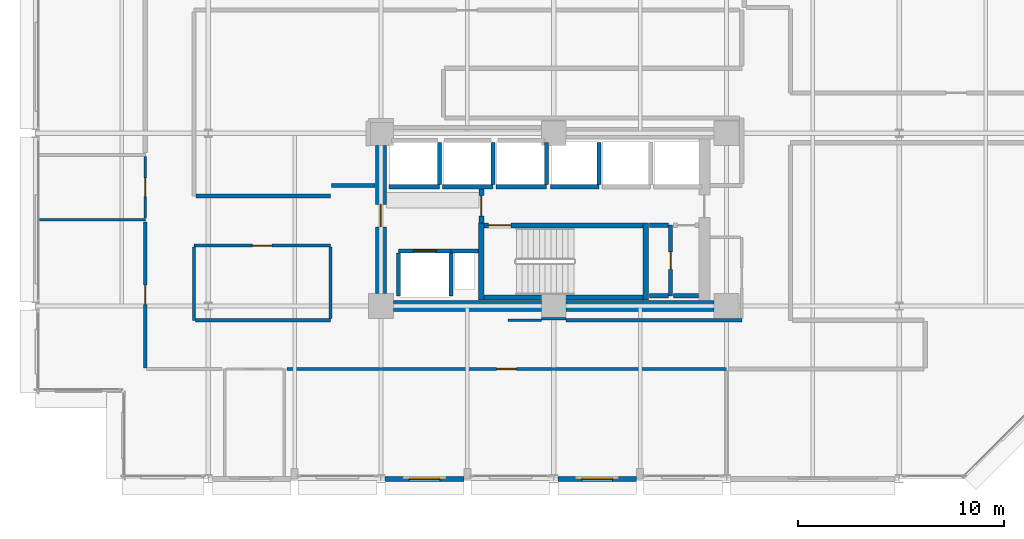
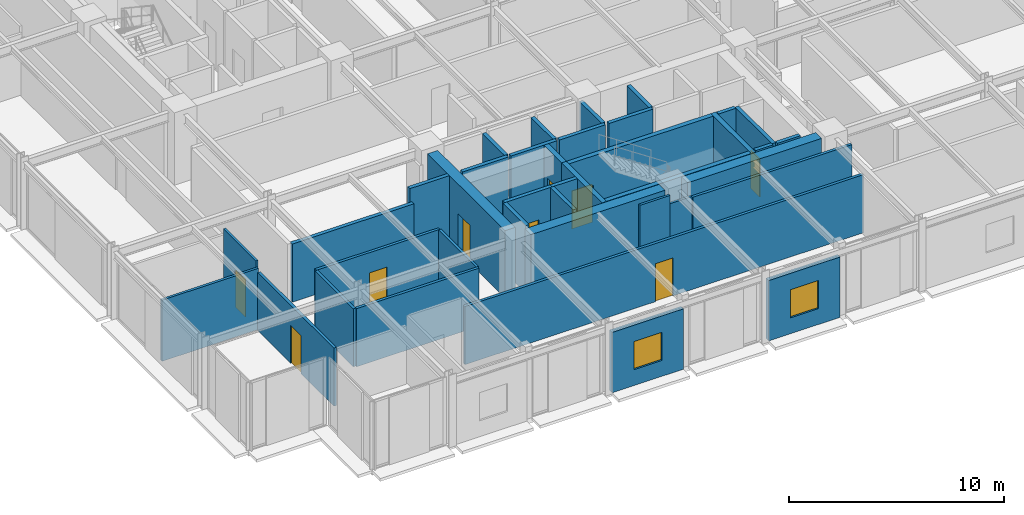
# One storey, part 32 of 39: 39 walls, 9 doors, 2 windows, 11 openings.
"""IFC4 building model written with IfcOpenShell, lengths in metres."""

from ifc_helpers import new_model, si_unit, direction, frame, frame_2d, origin, place, context, subcontext, project, spatial, rectangle, extrude, material, layer, layer_set, type_object, element, fill, save


model = new_model("IFC4")

# Units and contexts
model_context = context("Model", 3, precision=1e-05, world=origin(), true_north=direction((0.0, 1.0)))
body_context = subcontext(model_context, "Body", "Model", "MODEL_VIEW")
ifc_project = project(units=[si_unit("LENGTHUNIT", "METRE"), si_unit("AREAUNIT", "SQUARE_METRE"), si_unit("VOLUMEUNIT", "CUBIC_METRE"), si_unit("PLANEANGLEUNIT", "RADIAN"), si_unit("MASSUNIT", "GRAM", prefix="KILO")], contexts=[model_context])

# Site, building, storey
site_placement = place(None, origin())
site = spatial("IfcSite", under=ifc_project, at=site_placement, CompositionType="ELEMENT")
building_placement = place(site_placement, origin())
building = spatial("IfcBuilding", under=site, at=building_placement, Name="Nerrivon Quay Data Exchange", CompositionType="ELEMENT")
storey_placement = place(building_placement, frame((0.0, 0.0, 104.89990234375)))
storey = spatial("IfcBuildingStorey", under=building, at=storey_placement, Name="L24", CompositionType="ELEMENT", Elevation=104.89990234375)

# Wall, opening, window
ifc_material_1 = material(Name="Architectural terracotta precast concrete N50 (50 MPa)", Category="masonry")
ifc_layer_1 = layer(ifc_material_1, 0.239990234375)
ifc_layer_set_1 = layer_set([ifc_layer_1], Name="Architectural terracotta precast concrete N50 (50 MPa)")
wall_type_1 = type_object("IfcWallType", Name="EW-PREC-240", PredefinedType="STANDARD", material=ifc_layer_set_1)
wall_1_placement = place(storey_placement, frame((29.22509765625, 0.0, 0.0), z_axis=(0.0, 0.0, 1.0), x_axis=(-1.0, 0.0, 0.0)))
wall_1 = element("IfcWall", 1, at=wall_1_placement, inside=storey, type_object=wall_type_1, Name="L24 Podium Precast Spandrel Wall 9", PredefinedType="STANDARD", context=body_context, shape_type="SweptSolid", body=[
    extrude(rectangle(XDim=3.8251953125, YDim=0.239990234375, at=frame_2d((1.91259765625, 0.0))), origin(), (0.0, 0.0, 1.0), 3.422119140625),
])
opening_1_placement = place(wall_1_placement, frame((1.16259765625, 0.0, 0.89990234375)))
opening_1 = element("IfcOpeningElement", 2, at=opening_1_placement, cuts=wall_1, Name="Opening WN4", PredefinedType="OPENING", context=body_context, shape_type="SweptSolid", body=[
    extrude(rectangle(XDim=1.5, YDim=1.60009765625, at=frame_2d((0.75, 0.800048828125))), frame((0.0, 0.1298828125, 0.0), z_axis=(0.0, -1.0, 0.0), x_axis=(1.0, 0.0, 0.0)), (0.0, 0.0, 1.0), 0.260009765625),
])
ifc_material_2 = material(Name="Double-glazed low-E solar control glass", Category="glass")
window_type = type_object("IfcWindowType", Name="WIN-W4-1500x1600", PartitioningType="SINGLE_PANEL", PredefinedType="WINDOW", material=ifc_material_2)
window_1_placement = place(opening_1_placement, origin())
window_1 = element("IfcWindow", 3, at=window_1_placement, inside=storey, type_object=window_type, Name="L24 Solar Facade Window 9", OverallHeight=1.60009765625, OverallWidth=1.5, PartitioningType="SINGLE_PANEL", PredefinedType="WINDOW", context=body_context, shape_type="SweptSolid", body=[
    extrude(rectangle(XDim=1.5, YDim=1.60009765625, at=frame_2d((0.75, 0.800048828125))), frame((0.0, 0.030029296875, 0.0), z_axis=(0.0, -1.0, 0.0), x_axis=(1.0, 0.0, 0.0)), (0.0, 0.0, 1.0), 0.06005859375),
])
fill(opening_1, window_1)

wall_2_placement = place(storey_placement, frame((20.824951171875, 0.0, 0.0), z_axis=(0.0, 0.0, 1.0), x_axis=(-1.0, 0.0, 0.0)))
wall_2 = element("IfcWall", 4, at=wall_2_placement, inside=storey, type_object=wall_type_1, Name="L24 Podium Precast Spandrel Wall 11", PredefinedType="STANDARD", context=body_context, shape_type="SweptSolid", body=[
    extrude(rectangle(XDim=3.824951171875, YDim=0.239990234375, at=frame_2d((1.91259765625, 0.0))), origin(), (0.0, 0.0, 1.0), 3.422119140625),
])
opening_2_placement = place(wall_2_placement, frame((1.16259765625, 0.0, 0.89990234375)))
opening_2 = element("IfcOpeningElement", 5, at=opening_2_placement, cuts=wall_2, Name="Opening WN4", PredefinedType="OPENING", context=body_context, shape_type="SweptSolid", body=[
    extrude(rectangle(XDim=1.5, YDim=1.60009765625, at=frame_2d((0.75, 0.800048828125))), frame((0.0, 0.1298828125, 0.0), z_axis=(0.0, -1.0, 0.0), x_axis=(1.0, 0.0, 0.0)), (0.0, 0.0, 1.0), 0.260009765625),
])
window_2_placement = place(opening_2_placement, origin())
window_2 = element("IfcWindow", 6, at=window_2_placement, inside=storey, type_object=window_type, Name="L24 Solar Facade Window 11", OverallHeight=1.60009765625, OverallWidth=1.5, PartitioningType="SINGLE_PANEL", PredefinedType="WINDOW", context=body_context, shape_type="SweptSolid", body=[
    extrude(rectangle(XDim=1.5, YDim=1.60009765625, at=frame_2d((0.75, 0.800048828125))), frame((0.0, 0.030029296875, 0.0), z_axis=(0.0, -1.0, 0.0), x_axis=(1.0, 0.0, 0.0)), (0.0, 0.0, 1.0), 0.06005859375),
])
fill(opening_2, window_2)

# Walls
ifc_material_3 = material(Name="Concrete S65 (65 MPa)", Category="concrete")
ifc_layer_2 = layer(ifc_material_3, 0.550048828125)
ifc_layer_set_2 = layer_set([ifc_layer_2], Name="Concrete S65 (65 MPa)")
wall_type_2 = type_object("IfcWallType", Name="WALL-CW-700", PredefinedType="SHEAR", material=ifc_layer_set_2)
wall_3_placement = place(storey_placement, frame((17.39990234375, 8.39990234375, 0.0), z_axis=(0.0, 0.0, 1.0), x_axis=(1.0, 0.0, 0.0)))
element("IfcWall", 7, at=wall_3_placement, inside=storey, type_object=wall_type_2, Name="L24 East Split-Core Shear Wall ECW-S1", PredefinedType="SHEAR", context=body_context, shape_type="SweptSolid", body=[
    extrude(rectangle(XDim=7.2001953125, YDim=0.550048828125, at=frame_2d((3.60009765625, 0.0))), origin(), (0.0, 0.0, 1.0), 3.8251953125),
])
wall_4_placement = place(storey_placement, frame((25.800048828125, 8.39990234375, 0.0), z_axis=(0.0, 0.0, 1.0), x_axis=(1.0, 0.0, 0.0)))
element("IfcWall", 8, at=wall_4_placement, inside=storey, type_object=wall_type_2, Name="L24 East Split-Core Shear Wall ECW-S2", PredefinedType="SHEAR", context=body_context, shape_type="SweptSolid", body=[
    extrude(rectangle(XDim=7.199951171875, YDim=0.550048828125, at=frame_2d((3.60009765625, 0.0))), origin(), (0.0, 0.0, 1.0), 3.8251953125),
])

# Wall, opening, door
wall_5_placement = place(storey_placement, frame((16.800048828125, 9.0, 0.0), z_axis=(0.0, 0.0, 1.0), x_axis=(0.0, 1.0, 0.0)))
wall_5 = element("IfcWall", 9, at=wall_5_placement, inside=storey, type_object=wall_type_2, Name="L24 East Split-Core Shear Wall ECW-W1", PredefinedType="SHEAR", context=body_context, shape_type="SweptSolid", body=[
    extrude(rectangle(XDim=7.199951171875, YDim=0.550048828125, at=frame_2d((3.60009765625, 0.0))), origin(), (0.0, 0.0, 1.0), 3.8251953125),
])
opening_3_placement = place(wall_5_placement, frame((3.25, 0.0, 0.0)))
opening_3 = element("IfcOpeningElement", 10, at=opening_3_placement, cuts=wall_5, Name="Opening FD-120", PredefinedType="OPENING", context=body_context, shape_type="SweptSolid", body=[
    extrude(rectangle(XDim=1.10009765625, YDim=2.14990234375, at=frame_2d((0.550048828125, 1.074951171875))), frame((0.0, 0.284912109375, 0.0), z_axis=(0.0, -1.0, 0.0), x_axis=(1.0, 0.0, 0.0)), (0.0, 0.0, 1.0), 0.570068359375),
])
ifc_material_4 = material(Name="Powder-coated galvanized steel sheet", Category="steel")
door_type_1 = type_object("IfcDoorType", Name="DR-FD120-1100", OperationType="NOTDEFINED", PredefinedType="DOOR", material=ifc_material_4)
door_1_placement = place(opening_3_placement, origin())
door_1 = element("IfcDoor", 11, at=door_1_placement, inside=storey, type_object=door_type_1, Name="L24 East Core Lobby Fire Door", OperationType="SINGLE_SWING_RIGHT", OverallHeight=2.14990234375, OverallWidth=1.10009765625, PredefinedType="DOOR", context=body_context, shape_type="SweptSolid", body=[
    extrude(rectangle(XDim=1.10009765625, YDim=2.14990234375, at=frame_2d((0.550048828125, 1.074951171875))), frame((0.0, 0.02490234375, 0.0), z_axis=(0.0, -1.0, 0.0), x_axis=(1.0, 0.0, 0.0)), (0.0, 0.0, 1.0), 0.050048828125),
])
fill(opening_3, door_1)

# Wall
ifc_material_5 = material(Name="Gypsum plasterboard on cold-formed framing", Category="gypsum")
ifc_layer_3 = layer(ifc_material_5, 0.199951171875)
ifc_layer_set_3 = layer_set([ifc_layer_3], Name="Gypsum plasterboard on cold-formed framing")
wall_type_3 = type_object("IfcWallType", Name="WALL-FW-200", PredefinedType="PARTITIONING", material=ifc_layer_set_3)
wall_6_placement = place(storey_placement, frame((20.199951171875, 11.080078125, 0.0), z_axis=(0.0, 0.0, 1.0), x_axis=(1.0, 0.0, 0.0)))
element("IfcWall", 12, at=wall_6_placement, inside=storey, type_object=wall_type_3, Name="L24 East Core MEP Riser Shaft Wall N", PredefinedType="PARTITIONING", context=body_context, shape_type="SweptSolid", body=[
    extrude(rectangle(XDim=1.35009765625, YDim=0.199951171875, at=frame_2d((0.675048828125, 0.0))), origin(), (0.0, 0.0, 1.0), 3.8251953125),
])

# Wall, opening, door
wall_7_placement = place(storey_placement, frame((17.64990234375, 11.080078125, 0.0), z_axis=(0.0, 0.0, 1.0), x_axis=(1.0, 0.0, 0.0)))
wall_7 = element("IfcWall", 13, at=wall_7_placement, inside=storey, type_object=wall_type_3, Name="L24 Lift Front Wall FFL-2", PredefinedType="PARTITIONING", context=body_context, shape_type="SweptSolid", body=[
    extrude(rectangle(XDim=2.550048828125, YDim=0.199951171875, at=frame_2d((1.27490234375, 0.0))), origin(), (0.0, 0.0, 1.0), 3.8251953125),
])
opening_4_placement = place(wall_7_placement, frame((0.72509765625, 0.0, 0.0)))
opening_4 = element("IfcOpeningElement", 14, at=opening_4_placement, cuts=wall_7, Name="Opening LD-120", PredefinedType="OPENING", context=body_context, shape_type="SweptSolid", body=[
    extrude(rectangle(XDim=1.10009765625, YDim=2.199951171875, at=frame_2d((0.550048828125, 1.10009765625))), frame((0.0, 0.10986328125, 0.0), z_axis=(0.0, -1.0, 0.0), x_axis=(1.0, 0.0, 0.0)), (0.0, 0.0, 1.0), 0.219970703125),
])
door_type_2 = type_object("IfcDoorType", Name="DR-LIFT-LD120", OperationType="DOUBLE_DOOR_SLIDING", PredefinedType="DOOR", material=ifc_material_4)
door_2_placement = place(opening_4_placement, origin())
door_2 = element("IfcDoor", 15, at=door_2_placement, inside=storey, type_object=door_type_2, Name="L24 Lift Landing Sliding Door FFL-2", OperationType="DOUBLE_DOOR_SLIDING", OverallHeight=2.199951171875, OverallWidth=1.10009765625, PredefinedType="DOOR", context=body_context, shape_type="SweptSolid", body=[
    extrude(rectangle(XDim=1.10009765625, YDim=2.199951171875, at=frame_2d((0.550048828125, 1.10009765625))), frame((0.0, 0.02490234375, 0.0), z_axis=(0.0, -1.0, 0.0), x_axis=(1.0, 0.0, 0.0)), (0.0, 0.0, 1.0), 0.050048828125),
])
fill(opening_4, door_2)

# Walls
for number, where, z_axis, x_axis, name in (
    (16, (20.199951171875, 8.8798828125, 0.0), (0.0, 0.0, 1.0), (0.0, 1.0, 0.0), "L24 Lift Shaft Wall FFL-2 EAST"),
    (17, (17.64990234375, 8.8798828125, 0.0), (0.0, 0.0, 1.0), (0.0, 1.0, 0.0), "L24 Lift Shaft Wall FFL-2 WEST"),
):
    element("IfcWall", number, at=place(storey_placement, frame(where, z_axis=z_axis, x_axis=x_axis)), inside=storey, type_object=wall_type_3, Name=name, PredefinedType="PARTITIONING", context=body_context, shape_type="SweptSolid", body=[
        extrude(rectangle(XDim=2.10009765625, YDim=0.199951171875, at=frame_2d((1.050048828125, 0.0))), origin(), (0.0, 0.0, 1.0), 3.8251953125),
    ])
wall_8_placement = place(storey_placement, frame((17.199951171875, 14.199951171875, 0.0), z_axis=(0.0, 0.0, 1.0), x_axis=(1.0, 0.0, 0.0)))
element("IfcWall", 18, at=wall_8_placement, inside=storey, type_object=wall_type_3, Name="L24 Lift Front Wall PL4", PredefinedType="PARTITIONING", context=body_context, shape_type="SweptSolid", body=[
    extrude(rectangle(XDim=2.449951171875, YDim=0.199951171875, at=frame_2d((1.22509765625, 0.0))), origin(), (0.0, 0.0, 1.0), 3.8251953125),
])
wall_9_placement = place(storey_placement, frame((19.64990234375, 14.300048828125, 0.0), z_axis=(0.0, 0.0, 1.0), x_axis=(0.0, 1.0, 0.0)))
element("IfcWall", 19, at=wall_9_placement, inside=storey, type_object=wall_type_3, Name="L24 Lift Shaft Wall PL4 EAST", PredefinedType="PARTITIONING", context=body_context, shape_type="SweptSolid", body=[
    extrude(rectangle(XDim=2.050048828125, YDim=0.199951171875, at=frame_2d((1.02490234375, 0.0))), origin(), (0.0, 0.0, 1.0), 3.8251953125),
])
wall_10_placement = place(storey_placement, frame((19.800048828125, 14.199951171875, 0.0), z_axis=(0.0, 0.0, 1.0), x_axis=(1.0, 0.0, 0.0)))
element("IfcWall", 20, at=wall_10_placement, inside=storey, type_object=wall_type_3, Name="L24 Lift Front Wall PL5", PredefinedType="PARTITIONING", context=body_context, shape_type="SweptSolid", body=[
    extrude(rectangle(XDim=2.449951171875, YDim=0.199951171875, at=frame_2d((1.22509765625, 0.0))), origin(), (0.0, 0.0, 1.0), 3.8251953125),
])
wall_11_placement = place(storey_placement, frame((22.25, 14.300048828125, 0.0), z_axis=(0.0, 0.0, 1.0), x_axis=(0.0, 1.0, 0.0)))
element("IfcWall", 21, at=wall_11_placement, inside=storey, type_object=wall_type_3, Name="L24 Lift Shaft Wall PL5 EAST", PredefinedType="PARTITIONING", context=body_context, shape_type="SweptSolid", body=[
    extrude(rectangle(XDim=2.050048828125, YDim=0.199951171875, at=frame_2d((1.02490234375, 0.0))), origin(), (0.0, 0.0, 1.0), 3.8251953125),
])
wall_12_placement = place(storey_placement, frame((22.39990234375, 14.199951171875, 0.0), z_axis=(0.0, 0.0, 1.0), x_axis=(1.0, 0.0, 0.0)))
element("IfcWall", 22, at=wall_12_placement, inside=storey, type_object=wall_type_3, Name="L24 Lift Front Wall PL6", PredefinedType="PARTITIONING", context=body_context, shape_type="SweptSolid", body=[
    extrude(rectangle(XDim=2.4501953125, YDim=0.199951171875, at=frame_2d((1.22509765625, 0.0))), origin(), (0.0, 0.0, 1.0), 3.8251953125),
])
wall_13_placement = place(storey_placement, frame((24.85009765625, 14.300048828125, 0.0), z_axis=(0.0, 0.0, 1.0), x_axis=(0.0, 1.0, 0.0)))
element("IfcWall", 23, at=wall_13_placement, inside=storey, type_object=wall_type_3, Name="L24 Lift Shaft Wall PL6 EAST", PredefinedType="PARTITIONING", context=body_context, shape_type="SweptSolid", body=[
    extrude(rectangle(XDim=2.050048828125, YDim=0.199951171875, at=frame_2d((1.02490234375, 0.0))), origin(), (0.0, 0.0, 1.0), 3.8251953125),
])
wall_14_placement = place(storey_placement, frame((25.050048828125, 14.199951171875, 0.0), z_axis=(0.0, 0.0, 1.0), x_axis=(1.0, 0.0, 0.0)))
element("IfcWall", 24, at=wall_14_placement, inside=storey, type_object=wall_type_3, Name="L24 Lift Front Wall PL7", PredefinedType="PARTITIONING", context=body_context, shape_type="SweptSolid", body=[
    extrude(rectangle(XDim=2.349853515625, YDim=0.199951171875, at=frame_2d((1.1748046875, 0.0))), origin(), (0.0, 0.0, 1.0), 3.8251953125),
])
wall_15_placement = place(storey_placement, frame((27.39990234375, 14.300048828125, 0.0), z_axis=(0.0, 0.0, 1.0), x_axis=(0.0, 1.0, 0.0)))
element("IfcWall", 25, at=wall_15_placement, inside=storey, type_object=wall_type_3, Name="L24 Lift Shaft Wall PL7 EAST", PredefinedType="PARTITIONING", context=body_context, shape_type="SweptSolid", body=[
    extrude(rectangle(XDim=2.050048828125, YDim=0.199951171875, at=frame_2d((1.02490234375, 0.0))), origin(), (0.0, 0.0, 1.0), 3.8251953125),
])

# Wall, opening, door
wall_16_placement = place(storey_placement, frame((30.8798828125, 8.89990234375, 0.0), z_axis=(0.0, 0.0, 1.0), x_axis=(0.0, 1.0, 0.0)))
wall_16 = element("IfcWall", 26, at=wall_16_placement, inside=storey, type_object=wall_type_3, Name="L24 Partition East Electrical Closet", PredefinedType="PARTITIONING", context=body_context, shape_type="SweptSolid", body=[
    extrude(rectangle(XDim=3.43017578125, YDim=0.199951171875, at=frame_2d((1.715087890625, 0.0))), origin(), (0.0, 0.0, 1.0), 3.8251953125),
])
opening_5_placement = place(wall_16_placement, frame((1.2900390625, 0.0, 0.0)))
opening_5 = element("IfcOpeningElement", 27, at=opening_5_placement, cuts=wall_16, Name="Opening FD-60S", PredefinedType="OPENING", context=body_context, shape_type="SweptSolid", body=[
    extrude(rectangle(XDim=0.85009765625, YDim=2.14990234375, at=frame_2d((0.425048828125, 1.074951171875))), frame((0.0, 0.10986328125, 0.0), z_axis=(0.0, -1.0, 0.0), x_axis=(1.0, 0.0, 0.0)), (0.0, 0.0, 1.0), 0.219970703125),
])
ifc_material_6 = material(Name="Engineered hardwood timber", Category="wood")
door_type_3 = type_object("IfcDoorType", Name="DR-FD60-850", OperationType="NOTDEFINED", PredefinedType="DOOR", material=ifc_material_6)
door_3_placement = place(opening_5_placement, origin())
door_3 = element("IfcDoor", 28, at=door_3_placement, inside=storey, type_object=door_type_3, Name="L24 Door East Electrical Closet", OperationType="SINGLE_SWING_LEFT", OverallHeight=2.14990234375, OverallWidth=0.85009765625, PredefinedType="DOOR", context=body_context, shape_type="SweptSolid", body=[
    extrude(rectangle(XDim=0.85009765625, YDim=2.14990234375, at=frame_2d((0.425048828125, 1.074951171875))), frame((0.0, 0.02490234375, 0.0), z_axis=(0.0, -1.0, 0.0), x_axis=(1.0, 0.0, 0.0)), (0.0, 0.0, 1.0), 0.050048828125),
])
fill(opening_5, door_3)

# Walls
for number, where, z_axis, x_axis, name in (
    (29, (30.77587890625, 12.330078125, 0.0), (0.0, 0.0, 1.0), (-1.0, 0.0, 0.0), "L24 Partition East Electrical Closet"),
    (30, (29.85009765625, 8.89990234375, 0.0), (0.0, 0.0, 1.0), (1.0, 0.0, 0.0), "L24 Partition East Electrical Closet"),
):
    element("IfcWall", number, at=place(storey_placement, frame(where, z_axis=z_axis, x_axis=x_axis)), inside=storey, type_object=wall_type_3, Name=name, PredefinedType="PARTITIONING", context=body_context, shape_type="SweptSolid", body=[
        extrude(rectangle(XDim=0.92578125, YDim=0.199951171875, at=frame_2d((0.462890625, 0.0))), origin(), (0.0, 0.0, 1.0), 3.8251953125),
    ])
wall_17_placement = place(storey_placement, frame((31.02001953125, 8.89990234375, 0.0), z_axis=(0.0, 0.0, 1.0), x_axis=(1.0, 0.0, 0.0)))
element("IfcWall", 31, at=wall_17_placement, inside=storey, type_object=wall_type_3, Name="L24 Partition East Cleaners Store", PredefinedType="PARTITIONING", context=body_context, shape_type="SweptSolid", body=[
    extrude(rectangle(XDim=1.22607421875, YDim=0.199951171875, at=frame_2d((0.613037109375, 0.0))), origin(), (0.0, 0.0, 1.0), 3.8251953125),
])
wall_18_placement = place(storey_placement, frame((7.81396484375, 13.760009765625, 0.0), z_axis=(0.0, 0.0, 1.0), x_axis=(1.0, 0.0, 0.0)))
element("IfcWall", 32, at=wall_18_placement, inside=storey, type_object=wall_type_3, Name="L24 Partition Colocation Data Workspace 6", PredefinedType="PARTITIONING", context=body_context, shape_type="SweptSolid", body=[
    extrude(rectangle(XDim=6.526123046875, YDim=0.199951171875, at=frame_2d((3.26318359375, 0.0))), origin(), (0.0, 0.0, 1.0), 3.297119140625),
])
wall_19_placement = place(storey_placement, frame((14.39990234375, 14.260009765625, 0.0), z_axis=(0.0, 0.0, 1.0), x_axis=(1.0, 0.0, 0.0)))
element("IfcWall", 33, at=wall_19_placement, inside=storey, type_object=wall_type_3, Name="L24 Partition Colocation Data Workspace 6", PredefinedType="PARTITIONING", context=body_context, shape_type="SweptSolid", body=[
    extrude(rectangle(XDim=2.12109375, YDim=0.199951171875, at=frame_2d((1.060546875, 0.0))), origin(), (0.0, 0.0, 1.0), 3.8251953125),
])

# Wall, opening, door
ifc_layer_4 = layer(ifc_material_5, 0.1201171875)
ifc_layer_set_4 = layer_set([ifc_layer_4], Name="Gypsum plasterboard on cold-formed framing")
wall_type_4 = type_object("IfcWallType", Name="WALL-PT-120", PredefinedType="PARTITIONING", material=ifc_layer_set_4)
wall_20_placement = place(storey_placement, frame((5.340087890625, 12.67138671875, 0.0), z_axis=(0.0, 0.0, 1.0), x_axis=(0.0, 1.0, 0.0)))
wall_20 = element("IfcWall", 34, at=wall_20_placement, inside=storey, type_object=wall_type_4, Name="L24 Partition Accessible Toilet", PredefinedType="PARTITIONING", context=body_context, shape_type="SweptSolid", body=[
    extrude(rectangle(XDim=3.007080078125, YDim=0.1201171875, at=frame_2d((1.50341796875, 0.0))), origin(), (0.0, 0.0, 1.0), 3.8251953125),
])
opening_6_placement = place(wall_20_placement, frame((1.04345703125, 0.0, 0.0)))
opening_6 = element("IfcOpeningElement", 35, at=opening_6_placement, cuts=wall_20, Name="Opening D-WC", PredefinedType="OPENING", context=body_context, shape_type="SweptSolid", body=[
    extrude(rectangle(XDim=0.919921875, YDim=2.10009765625, at=frame_2d((0.4599609375, 1.050048828125))), frame((0.0, 0.070068359375, 0.0), z_axis=(0.0, -1.0, 0.0), x_axis=(1.0, 0.0, 0.0)), (0.0, 0.0, 1.0), 0.14013671875),
])
door_type_4 = type_object("IfcDoorType", Name="DR-WC-920", OperationType="NOTDEFINED", PredefinedType="DOOR", material=ifc_material_6)
door_4_placement = place(opening_6_placement, origin())
door_4 = element("IfcDoor", 36, at=door_4_placement, inside=storey, type_object=door_type_4, Name="L24 Door Accessible Toilet", OperationType="SINGLE_SWING_LEFT", OverallHeight=2.10009765625, OverallWidth=0.919921875, PredefinedType="DOOR", context=body_context, shape_type="SweptSolid", body=[
    extrude(rectangle(XDim=0.919921875, YDim=2.10009765625, at=frame_2d((0.4599609375, 1.050048828125))), frame((0.0, 0.02490234375, 0.0), z_axis=(0.0, -1.0, 0.0), x_axis=(1.0, 0.0, 0.0)), (0.0, 0.0, 1.0), 0.050048828125),
])
fill(opening_6, door_4)

# Walls
wall_21_placement = place(storey_placement, frame((25.805908203125, 7.781005859375, 0.0), z_axis=(0.0, 0.0, 1.0), x_axis=(-0.999999672047, -0.000809880277, 0.0)))
element("IfcWall", 37, at=wall_21_placement, inside=storey, type_object=wall_type_4, Name="L24 Partition Staff Pantry", PredefinedType="PARTITIONING", context=body_context, shape_type="SweptSolid", body=[
    extrude(rectangle(XDim=1.205810546875, YDim=0.1201171875, at=frame_2d((0.60302734375, 0.0))), origin(), (0.0, 0.0, 1.0), 3.297119140625),
])
wall_22_placement = place(storey_placement, frame((22.97802734375, 7.7099609375, 0.0), z_axis=(0.0, 0.0, 1.0), x_axis=(1.0, 0.0, 0.0)))
element("IfcWall", 38, at=wall_22_placement, inside=storey, type_object=wall_type_4, Name="L24 Partition Staff Pantry", PredefinedType="PARTITIONING", context=body_context, shape_type="SweptSolid", body=[
    extrude(rectangle(XDim=1.6220703125, YDim=0.1201171875, at=frame_2d((0.81103515625, 0.0))), origin(), (0.0, 0.0, 1.0), 3.8251953125),
])
ifc_layer_5 = layer(ifc_material_5, 0.135009765625)
ifc_layer_set_5 = layer_set([ifc_layer_5], Name="Gypsum plasterboard on cold-formed framing")
wall_type_5 = type_object("IfcWallType", Name="WALL-PT-135", PredefinedType="PARTITIONING", material=ifc_layer_set_5)
wall_23_placement = place(storey_placement, frame((0.1689453125, 12.60009765625, 0.0), z_axis=(0.0, 0.0, 1.0), x_axis=(1.0, 0.0, 0.0)))
element("IfcWall", 39, at=wall_23_placement, inside=storey, type_object=wall_type_5, Name="L24 Partition Accessible Toilet", PredefinedType="PARTITIONING", context=body_context, shape_type="SweptSolid", body=[
    extrude(rectangle(XDim=5.171142578125, YDim=0.135009765625, at=frame_2d((2.58544921875, 0.0))), origin(), (0.0, 0.0, 1.0), 3.468994140625),
])
wall_24_placement = place(storey_placement, frame((7.7099609375, 11.260986328125, 0.0), z_axis=(0.0, 0.0, 1.0), x_axis=(0.0, -1.0, 0.0)))
element("IfcWall", 40, at=wall_24_placement, inside=storey, type_object=wall_type_5, Name="L24 Partition Technical Library", PredefinedType="PARTITIONING", context=body_context, shape_type="SweptSolid", body=[
    extrude(rectangle(XDim=3.551025390625, YDim=0.135009765625, at=frame_2d((1.775390625, 0.0))), origin(), (0.0, 0.0, 1.0), 3.2919921875),
])
wall_25_placement = place(storey_placement, frame((14.340087890625, 7.7890625, 0.0), z_axis=(0.0, 0.0, 1.0), x_axis=(0.0, 1.0, 0.0)))
element("IfcWall", 41, at=wall_25_placement, inside=storey, type_object=wall_type_5, Name="L24 Partition Technical Library", PredefinedType="PARTITIONING", context=body_context, shape_type="SweptSolid", body=[
    extrude(rectangle(XDim=3.471923828125, YDim=0.135009765625, at=frame_2d((1.73583984375, 0.0))), origin(), (0.0, 0.0, 1.0), 3.2919921875),
])
ifc_layer_6 = layer(ifc_material_5, 0.14990234375)
ifc_layer_set_6 = layer_set([ifc_layer_6], Name="Gypsum plasterboard on cold-formed framing")
wall_type_6 = type_object("IfcWallType", Name="WALL-PT-150", PredefinedType="PARTITIONING", material=ifc_layer_set_6)
wall_26_placement = place(storey_placement, frame((25.805908203125, 7.7099609375, 0.0), z_axis=(0.0, 0.0, 1.0), x_axis=(1.0, 0.0, 0.0)))
element("IfcWall", 42, at=wall_26_placement, inside=storey, type_object=wall_type_6, Name="L24 Partition Staff Pantry", PredefinedType="PARTITIONING", context=body_context, shape_type="SweptSolid", body=[
    extrude(rectangle(XDim=8.5341796875, YDim=0.14990234375, at=frame_2d((4.26708984375, 0.0))), origin(), (0.0, 0.0, 1.0), 3.297119140625),
])

# Wall, opening, door
wall_27_placement = place(storey_placement, frame((14.340087890625, 11.340087890625, 0.0), z_axis=(0.0, 0.0, 1.0), x_axis=(-1.0, 0.0, 0.0)))
wall_27 = element("IfcWall", 43, at=wall_27_placement, inside=storey, type_object=wall_type_6, Name="L24 Partition Technical Library", PredefinedType="PARTITIONING", context=body_context, shape_type="SweptSolid", body=[
    extrude(rectangle(XDim=6.630126953125, YDim=0.14990234375, at=frame_2d((3.31494140625, 0.0))), origin(), (0.0, 0.0, 1.0), 3.297119140625),
])
opening_7_placement = place(wall_27_placement, frame((2.840087890625, 0.0, 0.0)))
opening_7 = element("IfcOpeningElement", 44, at=opening_7_placement, cuts=wall_27, Name="Opening D-01", PredefinedType="OPENING", context=body_context, shape_type="SweptSolid", body=[
    extrude(rectangle(XDim=0.949951171875, YDim=2.14990234375, at=frame_2d((0.47509765625, 1.074951171875))), frame((0.0, 0.0849609375, 0.0), z_axis=(0.0, -1.0, 0.0), x_axis=(1.0, 0.0, 0.0)), (0.0, 0.0, 1.0), 0.169921875),
])
door_type_5 = type_object("IfcDoorType", Name="DR-INT-950", OperationType="NOTDEFINED", PredefinedType="DOOR", material=ifc_material_6)
door_5_placement = place(opening_7_placement, origin())
door_5 = element("IfcDoor", 45, at=door_5_placement, inside=storey, type_object=door_type_5, Name="L24 Door Technical Library", OperationType="SINGLE_SWING_RIGHT", OverallHeight=2.14990234375, OverallWidth=0.949951171875, PredefinedType="DOOR", context=body_context, shape_type="SweptSolid", body=[
    extrude(rectangle(XDim=0.949951171875, YDim=2.14990234375, at=frame_2d((0.47509765625, 1.074951171875))), frame((0.0, 0.02490234375, 0.0), z_axis=(0.0, -1.0, 0.0), x_axis=(1.0, 0.0, 0.0)), (0.0, 0.0, 1.0), 0.050048828125),
])
fill(opening_7, door_5)

# Wall
wall_28_placement = place(storey_placement, frame((7.781494140625, 7.7099609375, 0.0), z_axis=(0.0, 0.0, 1.0), x_axis=(1.0, 0.0, 0.0)))
element("IfcWall", 46, at=wall_28_placement, inside=storey, type_object=wall_type_6, Name="L24 Partition Technical Library", PredefinedType="PARTITIONING", context=body_context, shape_type="SweptSolid", body=[
    extrude(rectangle(XDim=6.55859375, YDim=0.14990234375, at=frame_2d((3.279296875, 0.0))), origin(), (0.0, 0.0, 1.0), 3.297119140625),
])

# Wall, opening, door
wall_29_placement = place(storey_placement, frame((5.340087890625, 5.39990234375, 0.0), z_axis=(0.0, 0.0, 1.0), x_axis=(0.0, 1.0, 0.0)))
wall_29 = element("IfcWall", 47, at=wall_29_placement, inside=storey, type_object=wall_type_6, Name="L24 Partition Cloud Compute Workspace 1", PredefinedType="PARTITIONING", context=body_context, shape_type="SweptSolid", body=[
    extrude(rectangle(XDim=7.080078125, YDim=0.14990234375, at=frame_2d((3.5400390625, 0.0))), origin(), (0.0, 0.0, 1.0), 3.2919921875),
])
opening_8_placement = place(wall_29_placement, frame((3.06494140625, 0.0, 0.0)))
opening_8 = element("IfcOpeningElement", 48, at=opening_8_placement, cuts=wall_29, Name="Opening D-01", PredefinedType="OPENING", context=body_context, shape_type="SweptSolid", body=[
    extrude(rectangle(XDim=0.949951171875, YDim=2.14990234375, at=frame_2d((0.47509765625, 1.074951171875))), frame((0.0, 0.0849609375, 0.0), z_axis=(0.0, -1.0, 0.0), x_axis=(1.0, 0.0, 0.0)), (0.0, 0.0, 1.0), 0.169921875),
])
door_6_placement = place(opening_8_placement, origin())
door_6 = element("IfcDoor", 49, at=door_6_placement, inside=storey, type_object=door_type_5, Name="L24 Door Cloud Compute Workspace 1", OperationType="SINGLE_SWING_LEFT", OverallHeight=2.14990234375, OverallWidth=0.949951171875, PredefinedType="DOOR", context=body_context, shape_type="SweptSolid", body=[
    extrude(rectangle(XDim=0.949951171875, YDim=2.14990234375, at=frame_2d((0.47509765625, 1.074951171875))), frame((0.0, 0.02490234375, 0.0), z_axis=(0.0, -1.0, 0.0), x_axis=(1.0, 0.0, 0.0)), (0.0, 0.0, 1.0), 0.050048828125),
])
fill(opening_8, door_6)

wall_30_placement = place(storey_placement, frame((33.586669921875, 5.340087890625, 0.0), z_axis=(0.0, 0.0, 1.0), x_axis=(-1.0, 0.0, 0.0)))
wall_30 = element("IfcWall", 50, at=wall_30_placement, inside=storey, type_object=wall_type_6, Name="L24 Partition Optical Engineering Studios Workspace", PredefinedType="PARTITIONING", context=body_context, shape_type="SweptSolid", body=[
    extrude(rectangle(XDim=21.36669921875, YDim=0.14990234375, at=frame_2d((10.683349609375, 0.0))), origin(), (0.0, 0.0, 1.0), 3.297119140625),
])
opening_9_placement = place(wall_30_placement, frame((10.208251953125, 0.0, 0.0)))
opening_9 = element("IfcOpeningElement", 51, at=opening_9_placement, cuts=wall_30, Name="Opening D-01", PredefinedType="OPENING", context=body_context, shape_type="SweptSolid", body=[
    extrude(rectangle(XDim=0.949951171875, YDim=2.14990234375, at=frame_2d((0.47509765625, 1.074951171875))), frame((0.0, 0.0849609375, 0.0), z_axis=(0.0, -1.0, 0.0), x_axis=(1.0, 0.0, 0.0)), (0.0, 0.0, 1.0), 0.169921875),
])
door_7_placement = place(opening_9_placement, origin())
door_7 = element("IfcDoor", 52, at=door_7_placement, inside=storey, type_object=door_type_5, Name="L24 Door Optical Engineering Studios Workspace", OperationType="SINGLE_SWING_LEFT", OverallHeight=2.14990234375, OverallWidth=0.949951171875, PredefinedType="DOOR", context=body_context, shape_type="SweptSolid", body=[
    extrude(rectangle(XDim=0.949951171875, YDim=2.14990234375, at=frame_2d((0.47509765625, 1.074951171875))), frame((0.0, 0.02490234375, 0.0), z_axis=(0.0, -1.0, 0.0), x_axis=(1.0, 0.0, 0.0)), (0.0, 0.0, 1.0), 0.050048828125),
])
fill(opening_9, door_7)

# Walls
ifc_material_7 = material(Name="Concrete N50 (50 MPa)", Category="concrete")
ifc_layer_7 = layer(ifc_material_7, 0.25)
ifc_layer_set_7 = layer_set([ifc_layer_7], Name="Concrete N50 (50 MPa)")
wall_type_7 = type_object("IfcWallType", Name="WALL-SW-250", PredefinedType="SHEAR", material=ifc_layer_set_7)
for number, where, z_axis, x_axis, name in (
    (53, (21.675048828125, 8.699951171875, 0.0), (0.0, 0.0, 1.0), (0.0, 1.0, 0.0), "L24 ST02 Structural Stair Core Wall NEAR"),
    (54, (29.675048828125, 8.699951171875, 0.0), (0.0, 0.0, 1.0), (0.0, 1.0, 0.0), "L24 ST02 Structural Stair Core Wall FAR"),
):
    element("IfcWall", number, at=place(storey_placement, frame(where, z_axis=z_axis, x_axis=x_axis)), inside=storey, type_object=wall_type_7, Name=name, PredefinedType="SHEAR", context=body_context, shape_type="SweptSolid", body=[
        extrude(rectangle(XDim=3.75, YDim=0.25, at=frame_2d((1.875, 0.0))), origin(), (0.0, 0.0, 1.0), 3.8251953125),
    ])
wall_31_placement = place(storey_placement, frame((21.800048828125, 8.824951171875, 0.0), z_axis=(0.0, 0.0, 1.0), x_axis=(1.0, 0.0, 0.0)))
element("IfcWall", 55, at=wall_31_placement, inside=storey, type_object=wall_type_7, Name="L24 ST02 Structural Stair Core Wall LEFT", PredefinedType="SHEAR", context=body_context, shape_type="SweptSolid", body=[
    extrude(rectangle(XDim=7.75, YDim=0.25, at=frame_2d((3.875, 0.0))), origin(), (0.0, 0.0, 1.0), 3.8251953125),
])

# Wall, opening, door
wall_32_placement = place(storey_placement, frame((21.800048828125, 12.324951171875, 0.0), z_axis=(0.0, 0.0, 1.0), x_axis=(1.0, 0.0, 0.0)))
wall_32 = element("IfcWall", 56, at=wall_32_placement, inside=storey, type_object=wall_type_7, Name="L24 ST02 Structural Stair Core Wall RIGHT", PredefinedType="SHEAR", context=body_context, shape_type="SweptSolid", body=[
    extrude(rectangle(XDim=7.75, YDim=0.25, at=frame_2d((3.875, 0.0))), origin(), (0.0, 0.0, 1.0), 3.8251953125),
])
opening_10_placement = place(wall_32_placement, frame((0.219970703125, 0.0, 0.0)))
opening_10 = element("IfcOpeningElement", 57, at=opening_10_placement, cuts=wall_32, Name="Opening FD-120", PredefinedType="OPENING", context=body_context, shape_type="SweptSolid", body=[
    extrude(rectangle(XDim=1.10009765625, YDim=2.14990234375, at=frame_2d((0.550048828125, 1.074951171875))), frame((0.0, 0.135009765625, 0.0), z_axis=(0.0, -1.0, 0.0), x_axis=(1.0, 0.0, 0.0)), (0.0, 0.0, 1.0), 0.27001953125),
])
door_8_placement = place(opening_10_placement, origin())
door_8 = element("IfcDoor", 58, at=door_8_placement, inside=storey, type_object=door_type_1, Name="L24 Protected Stair Door ST02", OperationType="SINGLE_SWING_RIGHT", OverallHeight=2.14990234375, OverallWidth=1.10009765625, PredefinedType="DOOR", context=body_context, shape_type="SweptSolid", body=[
    extrude(rectangle(XDim=1.10009765625, YDim=2.14990234375, at=frame_2d((0.550048828125, 1.074951171875))), frame((0.0, 0.02490234375, 0.0), z_axis=(0.0, -1.0, 0.0), x_axis=(1.0, 0.0, 0.0)), (0.0, 0.0, 1.0), 0.050048828125),
])
fill(opening_10, door_8)

wall_33_placement = place(storey_placement, frame((21.679931640625, 12.449951171875, 0.0), z_axis=(0.0, 0.0, 1.0), x_axis=(0.0, 1.0, 0.0)))
wall_33 = element("IfcWall", 59, at=wall_33_placement, inside=storey, type_object=wall_type_7, Name="L24 East Firefighting Lobby Wall", PredefinedType="SHEAR", context=body_context, shape_type="SweptSolid", body=[
    extrude(rectangle(XDim=1.650146484375, YDim=0.25, at=frame_2d((0.8251953125, 0.0))), origin(), (0.0, 0.0, 1.0), 3.8251953125),
])
opening_11_placement = place(wall_33_placement, frame((0.324951171875, 0.0, 0.0)))
opening_11 = element("IfcOpeningElement", 60, at=opening_11_placement, cuts=wall_33, Name="Opening FD-60", PredefinedType="OPENING", context=body_context, shape_type="SweptSolid", body=[
    extrude(rectangle(XDim=1.0, YDim=2.14990234375, at=frame_2d((0.5, 1.074951171875))), frame((0.0, 0.135009765625, 0.0), z_axis=(0.0, -1.0, 0.0), x_axis=(1.0, 0.0, 0.0)), (0.0, 0.0, 1.0), 0.27001953125),
])
door_type_6 = type_object("IfcDoorType", Name="DR-FD60-1000", OperationType="NOTDEFINED", PredefinedType="DOOR", material=ifc_material_6)
door_9_placement = place(opening_11_placement, origin())
door_9 = element("IfcDoor", 61, at=door_9_placement, inside=storey, type_object=door_type_6, Name="L24 East Firefighting Lobby Fire Door", OperationType="SINGLE_SWING_RIGHT", OverallHeight=2.14990234375, OverallWidth=1.0, PredefinedType="DOOR", context=body_context, shape_type="SweptSolid", body=[
    extrude(rectangle(XDim=1.0, YDim=2.14990234375, at=frame_2d((0.5, 1.074951171875))), frame((0.0, 0.02490234375, 0.0), z_axis=(0.0, -1.0, 0.0), x_axis=(1.0, 0.0, 0.0)), (0.0, 0.0, 1.0), 0.050048828125),
])
fill(opening_11, door_9)

save(model, "model.ifc")
